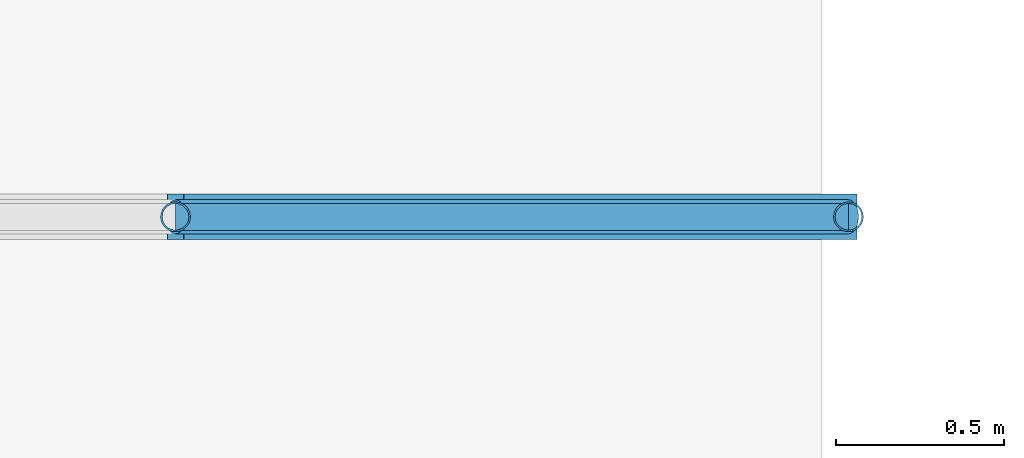
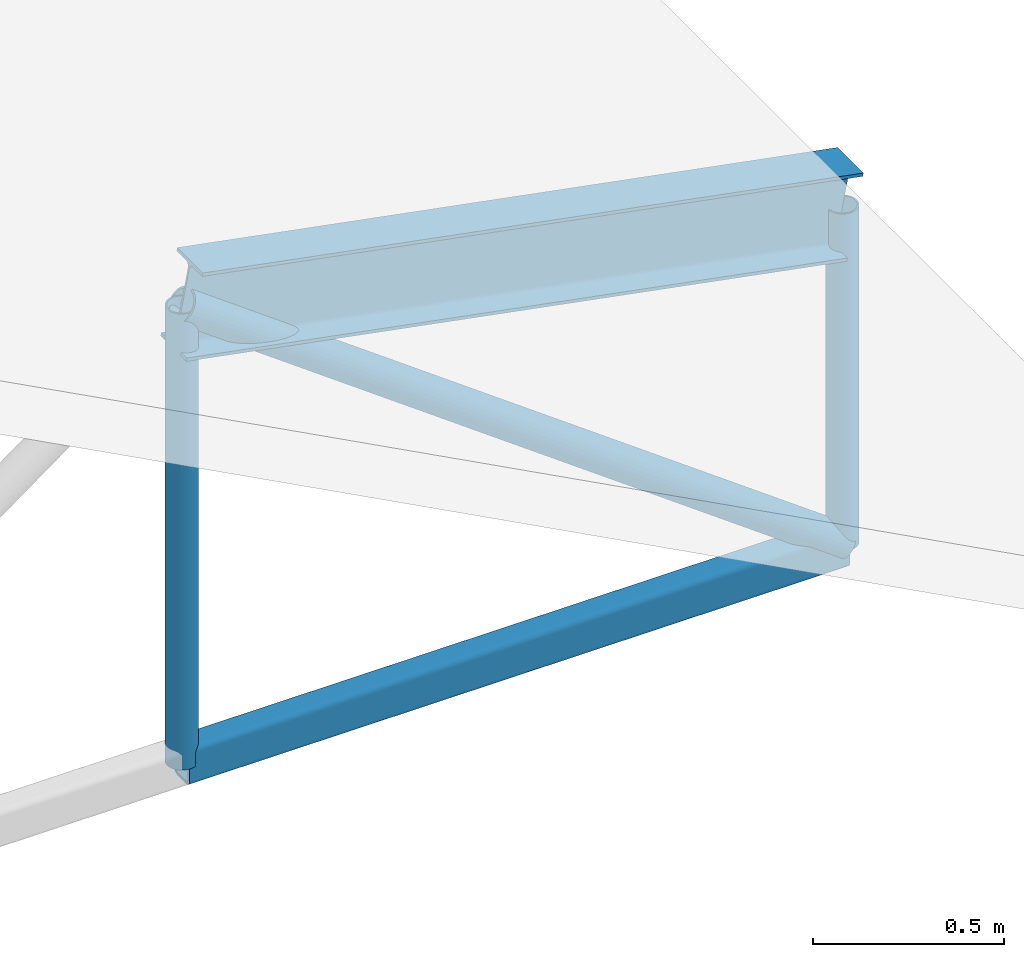
# One storey, part 15 of 54: 5 members.
"""IFC4 building model written with IfcOpenShell, lengths in metres."""

from ifc_helpers import new_model, si_unit, derived_unit, direction, frame, origin, origin_2d, place, context, subcontext, project, spatial, hollow_rectangle, hollow_circle, i_section, extrude, material, material_profile, profile_set, type_object, element, save


model = new_model("IFC4")

# Units and contexts
model_context = context("Model", 3, precision=1e-05, world=origin(), true_north=direction((0.0, 1.0)))
body_context = subcontext(model_context, "Body", "Model", "MODEL_VIEW")
ifc_project = project(units=[si_unit("LENGTHUNIT", "METRE"), si_unit("AREAUNIT", "SQUARE_METRE"), si_unit("VOLUMEUNIT", "CUBIC_METRE"), si_unit("PLANEANGLEUNIT", "RADIAN"), si_unit("MASSUNIT", "GRAM", prefix="KILO"), derived_unit("THERMALTRANSMITTANCEUNIT", [(si_unit("POWERUNIT", "WATT"), 1), (si_unit("LENGTHUNIT", "METRE"), -2), (si_unit("THERMODYNAMICTEMPERATUREUNIT", "KELVIN"), -1)])], contexts=[model_context])

# Site, building, storey
site_placement = place(None, origin())
site = spatial("IfcSite", under=ifc_project, at=site_placement, CompositionType="ELEMENT")
building_placement = place(site_placement, origin())
building = spatial("IfcBuilding", under=site, at=building_placement, Name="Keldorne Ridge Multi-Sports Centre", CompositionType="ELEMENT")
storey_placement = place(building_placement, frame((0.0, 0.0, 22.199951171875)))
storey = spatial("IfcBuildingStorey", under=building, at=storey_placement, Name="ROOF", CompositionType="ELEMENT", Elevation=22.199951171875)

# Members
ifc_material = material(Name="Steel S355", Category="steel")
ifc_material_profile_1 = material_profile(ifc_material, i_section(OverallWidth=0.135009765625, OverallDepth=0.27001953125, WebThickness=0.006591796875, FlangeThickness=0.01025390625, FilletRadius=0.014892578125, at=origin_2d()), Name="IPE 270")
ifc_profile_set_1 = profile_set([ifc_material_profile_1], Name="Steel S355")
member_type_1 = type_object("IfcMemberType", Name="MEM-RF-02", PredefinedType="RAFTER", material=ifc_profile_set_1)
member_1_placement = place(storey_placement, frame((94.0, 22.0, -12.260009765625), z_axis=(0.982435006317, 0.0, -0.186605086649), x_axis=(0.0, 1.0, 0.0)))
element("IfcMember", 1, at=member_1_placement, inside=storey, type_object=member_type_1, Name="Public Passage bowstring arch top chord 03.6", PredefinedType="RAFTER", context=body_context, shape_type="SweptSolid", body=[
    extrude(i_section(OverallWidth=0.135009765625, OverallDepth=0.27001953125, WebThickness=0.006591796875, FlangeThickness=0.01025390625, FilletRadius=0.014892578125, at=origin_2d()), origin(), (0.0, 0.0, 1.0), 2.03564453125),
])
ifc_material_profile_2 = material_profile(ifc_material, hollow_rectangle(XDim=0.080078125, YDim=0.1201171875, WallThickness=0.008056640625, InnerFilletRadius=0.008056640625, OuterFilletRadius=0.01611328125, at=origin_2d()), Name="RHS 120x80x8")
ifc_profile_set_2 = profile_set([ifc_material_profile_2], Name="Steel S355")
member_type_2 = type_object("IfcMemberType", Name="MEM-TC-07", PredefinedType="CHORD", material=ifc_profile_set_2)
member_2_placement = place(storey_placement, frame((94.0, 22.0, -13.719970703125), z_axis=(1.0, 0.0, 0.0), x_axis=(0.0, 1.0, 0.0)))
element("IfcMember", 2, at=member_2_placement, inside=storey, type_object=member_type_2, Name="Public Passage bowstring tie chord 03.6", PredefinedType="CHORD", context=body_context, shape_type="SweptSolid", body=[
    extrude(hollow_rectangle(XDim=0.080078125, YDim=0.1201171875, WallThickness=0.008056640625, InnerFilletRadius=0.008056640625, OuterFilletRadius=0.01611328125, at=origin_2d()), origin(), (0.0, 0.0, 1.0), 2.0),
])
ifc_material_profile_3 = material_profile(ifc_material, hollow_circle(Radius=0.05078125, WallThickness=0.00634765625, at=origin_2d()), Name="CHS 101.6x6.3")
ifc_profile_set_3 = profile_set([ifc_material_profile_3], Name="Steel S355")
member_type_3 = type_object("IfcMemberType", Name="MEM-TD-05", PredefinedType="BRACE", material=ifc_profile_set_3)
member_3_placement = place(storey_placement, frame((94.0, 22.0, -12.260009765625), z_axis=(0.8076945033, 0.0, -0.589601212125), x_axis=(0.0, 1.0, 0.0)))
element("IfcMember", 3, at=member_3_placement, inside=storey, type_object=member_type_3, Name="Public Passage bowstring web diagonal 03.6", PredefinedType="BRACE", context=body_context, shape_type="SweptSolid", body=[
    extrude(hollow_circle(Radius=0.05078125, WallThickness=0.00634765625, at=origin_2d()), origin(), (0.0, 0.0, 1.0), 2.47607421875),
])
ifc_material_profile_4 = material_profile(ifc_material, hollow_circle(Radius=0.04443359375, WallThickness=0.0048828125, at=origin_2d()), Name="CHS 88.9x5")
ifc_profile_set_4 = profile_set([ifc_material_profile_4], Name="Steel S355")
member_type_4 = type_object("IfcMemberType", Name="MEM-TV-07", PredefinedType="STRUT", material=ifc_profile_set_4)
member_4_placement = place(storey_placement, frame((94.0, 22.0, -13.719970703125), z_axis=(0.0, 0.0, 1.0), x_axis=(1.0, 0.0, 0.0)))
element("IfcMember", 4, at=member_4_placement, inside=storey, type_object=member_type_4, Name="Public Passage bowstring hanger 03.6", PredefinedType="STRUT", context=body_context, shape_type="SweptSolid", body=[
    extrude(hollow_circle(Radius=0.04443359375, WallThickness=0.0048828125, at=origin_2d()), origin(), (0.0, 0.0, 1.0), 1.4599609375),
])
member_5_placement = place(storey_placement, frame((96.0, 22.0, -13.719970703125), z_axis=(0.0, 0.0, 1.0), x_axis=(1.0, 0.0, 0.0)))
element("IfcMember", 5, at=member_5_placement, inside=storey, type_object=member_type_4, Name="Public Passage bowstring hanger 03.7", PredefinedType="STRUT", context=body_context, shape_type="SweptSolid", body=[
    extrude(hollow_circle(Radius=0.04443359375, WallThickness=0.0048828125, at=origin_2d()), origin(), (0.0, 0.0, 1.0), 1.080078125),
])

save(model, "model.ifc")
